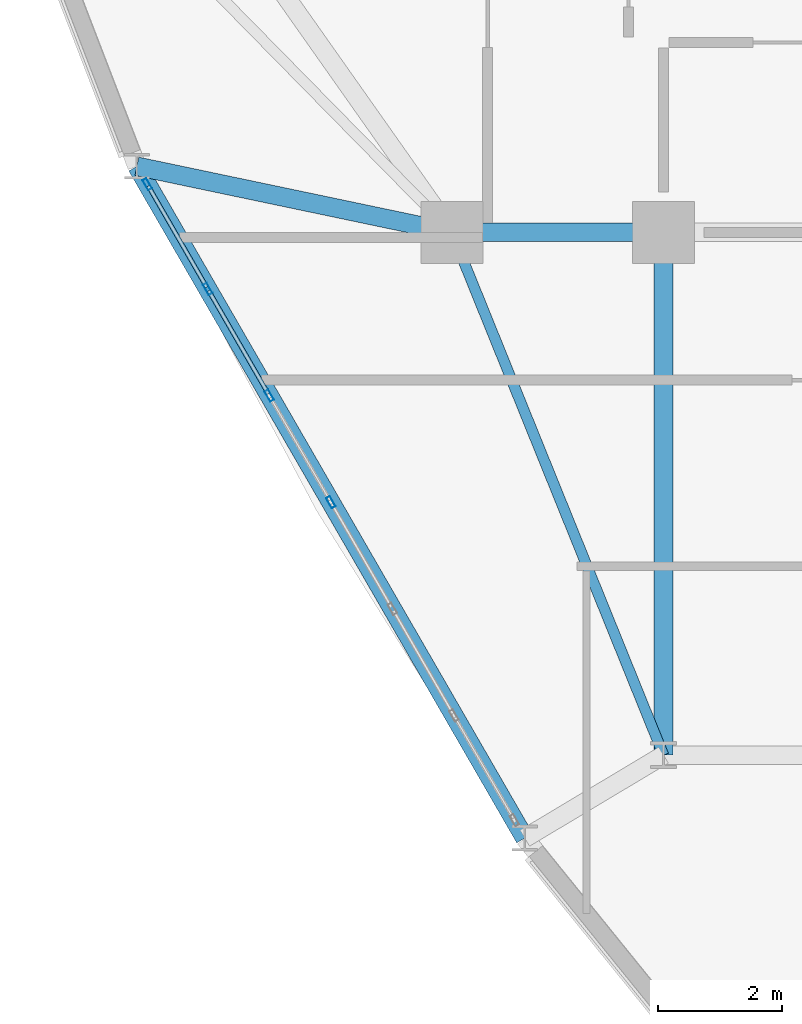
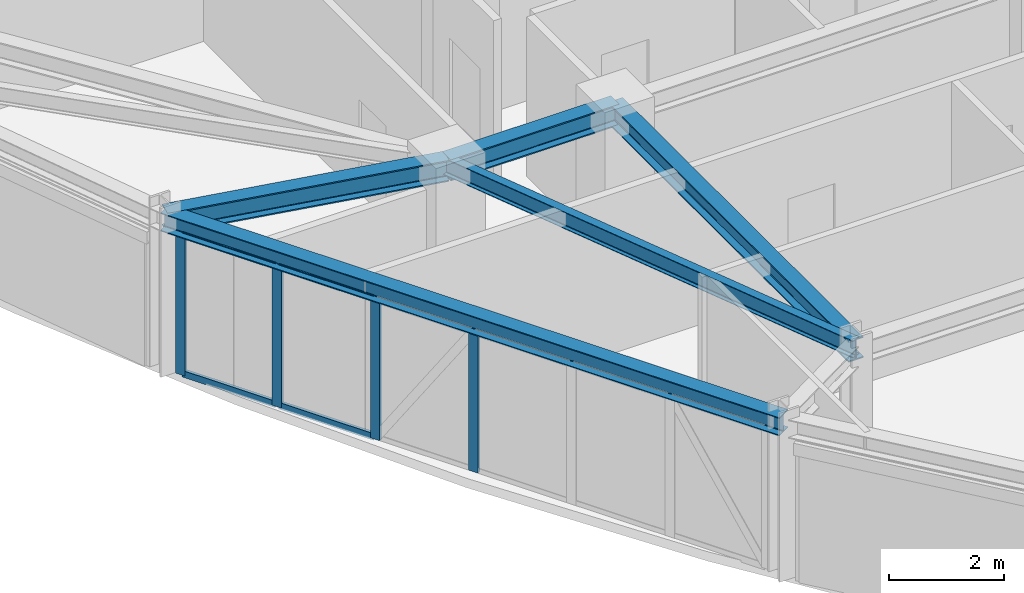
# One storey, part 4 of 14: 8 members, 5 beams, 1 element without a shape of its own.
"""IFC4 building model written with IfcOpenShell, lengths in metres."""

from ifc_helpers import new_model, si_unit, derived_unit, direction, frame, origin, origin_2d, place, context, subcontext, project, spatial, hollow_rectangle, i_section, extrude, source, transform, mapped, material, layer, layer_set, material_profile, profile_set, type_object, element, aggregate, save


model = new_model("IFC4")

# Units and contexts
model_context = context("Model", 3, precision=1e-05, world=origin(), true_north=direction((0.0, 1.0)))
body_context = subcontext(model_context, "Body", "Model", "MODEL_VIEW")
ifc_project = project(units=[si_unit("LENGTHUNIT", "METRE"), si_unit("AREAUNIT", "SQUARE_METRE"), si_unit("VOLUMEUNIT", "CUBIC_METRE"), si_unit("PLANEANGLEUNIT", "RADIAN"), si_unit("MASSUNIT", "GRAM", prefix="KILO"), derived_unit("THERMALTRANSMITTANCEUNIT", [(si_unit("POWERUNIT", "WATT"), 1), (si_unit("LENGTHUNIT", "METRE"), -2), (si_unit("THERMODYNAMICTEMPERATUREUNIT", "KELVIN"), -1)])], contexts=[model_context])

# Site, building, storey
site_placement = place(None, origin())
site = spatial("IfcSite", under=ifc_project, at=site_placement, CompositionType="ELEMENT")
building_placement = place(site_placement, origin())
building = spatial("IfcBuilding", under=site, at=building_placement, Name="Korsvarv Bourse and Concert Hall", CompositionType="ELEMENT")
storey_placement = place(building_placement, frame((0.0, 0.0, 190.199951171875)))
storey = spatial("IfcBuildingStorey", under=building, at=storey_placement, Name="L49", CompositionType="ELEMENT", Elevation=190.199951171875)

# Beams
ifc_material_1 = material(Name="Steel S355", Category="steel")
ifc_material_profile_1 = material_profile(ifc_material_1, i_section(OverallWidth=0.169921875, OverallDepth=0.360107421875, WebThickness=0.008056640625, FlangeThickness=0.0126953125, FilletRadius=0.01806640625, at=origin_2d()), Name="IPE 360")
ifc_profile_set_1 = profile_set([ifc_material_profile_1], Name="Steel S355")
beam_type_1 = type_object("IfcBeamType", Name="BM-IPE360", PredefinedType="JOIST", material=ifc_profile_set_1)
shared_shape_1 = source(origin(), body_context, "Body", "SweptSolid", [
    extrude(i_section(OverallWidth=0.169921875, OverallDepth=0.360107421875, WebThickness=0.008056640625, FlangeThickness=0.0126953125, FilletRadius=0.01806640625, at=origin_2d()), origin(), (0.0, 0.0, 1.0), 9.06201171875),
])
beam_1_placement = place(storey_placement, frame((24.199951171875, 32.39990234375, 3.219970703125), z_axis=(0.375210394783, -0.926939674222, 0.0), x_axis=(0.926939674222, 0.375210394783, 0.0)))
element("IfcBeam", 1, at=beam_1_placement, inside=storey, type_object=beam_type_1, Name="L49 beam J-06", PredefinedType="JOIST", context=body_context, shape_type="MappedRepresentation", body=[
    mapped(shared_shape_1, transform((0.0, 0.0, 0.0), scale=1.0)),
])
ifc_material_profile_2 = material_profile(ifc_material_1, i_section(OverallWidth=0.300048828125, OverallDepth=0.449951171875, WebThickness=0.013916015625, FlangeThickness=0.02587890625, FilletRadius=0.02099609375, at=origin_2d()), Name="HEB 450")
ifc_profile_set_2 = profile_set([ifc_material_profile_2], Name="Steel S355")
beam_type_2 = type_object("IfcBeamType", Name="BM-HEB450", PredefinedType="SPANDREL", material=ifc_profile_set_2)
shared_shape_2 = source(origin(), body_context, "Body", "SweptSolid", [
    extrude(i_section(OverallWidth=0.300048828125, OverallDepth=0.449951171875, WebThickness=0.013916015625, FlangeThickness=0.02587890625, FilletRadius=0.02099609375, at=origin_2d()), origin(), (0.0, 0.0, 1.0), 3.400146484375),
])
beam_2_placement = place(storey_placement, frame((24.199951171875, 32.39990234375, 3.175048828125), z_axis=(1.0, 0.0, 0.0), x_axis=(0.0, 1.0, 0.0)))
element("IfcBeam", 2, at=beam_2_placement, inside=storey, type_object=beam_type_2, Name="L49 beam B-08", PredefinedType="SPANDREL", context=body_context, shape_type="MappedRepresentation", body=[
    mapped(shared_shape_2, transform((0.0, 0.0, 0.0), scale=1.0)),
])
shared_shape_3 = source(origin(), body_context, "Body", "SweptSolid", [
    extrude(i_section(OverallWidth=0.300048828125, OverallDepth=0.449951171875, WebThickness=0.013916015625, FlangeThickness=0.02587890625, FilletRadius=0.02099609375, at=origin_2d()), origin(), (0.0, 0.0, 1.0), 8.39990234375),
])
beam_3_placement = place(storey_placement, frame((27.60009765625, 24.0, 3.175048828125), z_axis=(0.0, 1.0, 0.0), x_axis=(-1.0, 0.0, 0.0)))
element("IfcBeam", 3, at=beam_3_placement, inside=storey, type_object=beam_type_2, Name="L49 beam B-08", PredefinedType="SPANDREL", context=body_context, shape_type="MappedRepresentation", body=[
    mapped(shared_shape_3, transform((0.0, 0.0, 0.0), scale=1.0)),
])
ifc_material_profile_3 = material_profile(ifc_material_1, i_section(OverallWidth=0.300048828125, OverallDepth=0.389892578125, WebThickness=0.010986328125, FlangeThickness=0.01904296875, FilletRadius=0.02099609375, at=origin_2d()), Name="HEA 400")
ifc_profile_set_3 = profile_set([ifc_material_profile_3], Name="Steel S355")
beam_type_3 = type_object("IfcBeamType", Name="BM-HEA400", PredefinedType="BEAM", material=ifc_profile_set_3)
shared_shape_4 = source(origin(), body_context, "Body", "SweptSolid", [
    extrude(i_section(OverallWidth=0.300048828125, OverallDepth=0.389892578125, WebThickness=0.010986328125, FlangeThickness=0.01904296875, FilletRadius=0.02099609375, at=origin_2d()), origin(), (0.0, 0.0, 1.0), 12.46630859375),
])
beam_4_placement = place(storey_placement, frame((19.13818359375, 33.462158203125, 3.205078125), z_axis=(0.499985219902, -0.86603393691, 0.0), x_axis=(0.86603393691, 0.499985219902, 0.0)))
element("IfcBeam", 4, at=beam_4_placement, inside=storey, type_object=beam_type_3, Name="L49 beam B-11", PredefinedType="BEAM", context=body_context, shape_type="MappedRepresentation", body=[
    mapped(shared_shape_4, transform((0.0, 0.0, 0.0), scale=1.0)),
])
shared_shape_5 = source(origin(), body_context, "Body", "SweptSolid", [
    extrude(i_section(OverallWidth=0.300048828125, OverallDepth=0.449951171875, WebThickness=0.013916015625, FlangeThickness=0.02587890625, FilletRadius=0.02099609375, at=origin_2d()), origin(), (0.0, 0.0, 1.0), 5.172119140625),
])
beam_5_placement = place(storey_placement, frame((19.13818359375, 33.462158203125, 3.175048828125), z_axis=(0.978681305513, -0.205384766328, 0.0), x_axis=(0.205384766328, 0.978681305513, 0.0)))
element("IfcBeam", 5, at=beam_5_placement, inside=storey, type_object=beam_type_2, Name="L49 beam B-08", PredefinedType="SPANDREL", context=body_context, shape_type="MappedRepresentation", body=[
    mapped(shared_shape_5, transform((0.0, 0.0, 0.0), scale=1.0)),
])

# Curtain wall, members
ifc_material_2 = material(Name="Anodised aluminium and triple low-E glazing", Category="glass")
ifc_layer = layer(ifc_material_2, 0.199951171875)
ifc_layer_set = layer_set([ifc_layer], Name="Anodised aluminium and triple low-E glazing")
curtain_wall_type = type_object("IfcCurtainWallType", Name="CW-SYS-3", PredefinedType="NOTDEFINED", material=ifc_layer_set)
curtain_wall_placement = place(storey_placement, origin())
curtain_wall = element("IfcCurtainWall", 6, at=curtain_wall_placement, inside=storey, type_object=curtain_wall_type, Name="L49 CW3 curtain wall CW-L49-F07", PredefinedType="NOTDEFINED")
ifc_material_3 = material(Name="Extruded aluminium EN AW-6063 T66", Category="aluminium")
ifc_material_profile_4 = material_profile(ifc_material_3, hollow_rectangle(XDim=0.06494140625, YDim=0.139892578125, WallThickness=0.00390625, at=origin_2d()), Name="ALU-T 65x140")
ifc_profile_set_4 = profile_set([ifc_material_profile_4], Name="Extruded aluminium EN AW-6063 T66")
member_type_1 = type_object("IfcMemberType", Name="CWT-140", PredefinedType="USERDEFINED", material=ifc_profile_set_4)
shared_shape_6 = source(origin(), body_context, "Body", "SweptSolid", [
    extrude(hollow_rectangle(XDim=0.06494140625, YDim=0.139892578125, WallThickness=0.00390625, at=origin_2d()), origin(), (0.0, 0.0, 1.0), 1.908447265625),
])
member_1_placement = place(storey_placement, frame((20.293701171875, 31.46044921875, 0.032470703125), z_axis=(0.500087889681, -0.865974654707, 0.0), x_axis=(0.865974654707, 0.500087889681, 0.0)))
member_1 = element("IfcMember", 7, at=member_1_placement, type_object=member_type_1, Name="CW3 transom 2.1", ObjectType="TRANSOM", PredefinedType="USERDEFINED", context=body_context, shape_type="MappedRepresentation", body=[
    mapped(shared_shape_6, transform((0.0, 0.0, 0.0), scale=1.0)),
])
member_2_placement = place(storey_placement, frame((20.293701171875, 31.46044921875, 2.9775390625), z_axis=(0.500087889681, -0.865974654707, 0.0), x_axis=(0.865974654707, 0.500087889681, 0.0)))
member_2 = element("IfcMember", 8, at=member_2_placement, type_object=member_type_1, Name="CW3 transom 2.2", ObjectType="TRANSOM", PredefinedType="USERDEFINED", context=body_context, shape_type="MappedRepresentation", body=[
    mapped(shared_shape_6, transform((0.0, 0.0, 0.0), scale=1.0)),
])
ifc_material_profile_5 = material_profile(ifc_material_3, hollow_rectangle(XDim=0.070068359375, YDim=0.18994140625, WallThickness=0.0048828125, at=origin_2d()), Name="ALU-M 70x190")
ifc_profile_set_5 = profile_set([ifc_material_profile_5], Name="Extruded aluminium EN AW-6063 T66")
member_type_2 = type_object("IfcMemberType", Name="CWM-190", PredefinedType="MULLION", material=ifc_profile_set_5)
shared_shape_7 = source(origin(), body_context, "Body", "SweptSolid", [
    extrude(hollow_rectangle(XDim=0.070068359375, YDim=0.18994140625, WallThickness=0.0048828125, at=origin_2d()), origin(), (0.0, 0.0, 1.0), 3.010009765625),
])
member_3_placement = place(storey_placement, frame((19.3046875, 33.173828125, 0.0), z_axis=(0.0, 0.0, 1.0), x_axis=(0.866029726531, 0.499992512708, 0.0)))
member_3 = element("IfcMember", 9, at=member_3_placement, type_object=member_type_2, Name="CW3 mullion 1", PredefinedType="MULLION", context=body_context, shape_type="MappedRepresentation", body=[
    mapped(shared_shape_7, transform((0.0, 0.0, 0.0), scale=1.0)),
])
member_4_placement = place(storey_placement, frame((20.2763671875, 31.490966796875, 0.0), z_axis=(0.0, 0.0, 1.0), x_axis=(0.866029726531, 0.499992512708, 0.0)))
member_4 = element("IfcMember", 10, at=member_4_placement, type_object=member_type_2, Name="CW3 mullion 2", PredefinedType="MULLION", context=body_context, shape_type="MappedRepresentation", body=[
    mapped(shared_shape_7, transform((0.0, 0.0, 0.0), scale=1.0)),
])
member_5_placement = place(storey_placement, frame((21.265380859375, 29.777587890625, 0.0), z_axis=(0.0, 0.0, 1.0), x_axis=(0.866029726531, 0.499992512708, 0.0)))
member_5 = element("IfcMember", 11, at=member_5_placement, type_object=member_type_2, Name="CW3 mullion 3", PredefinedType="MULLION", context=body_context, shape_type="MappedRepresentation", body=[
    mapped(shared_shape_7, transform((0.0, 0.0, 0.0), scale=1.0)),
])
member_6_placement = place(storey_placement, frame((22.254638671875, 28.064208984375, 0.0), z_axis=(0.0, 0.0, 1.0), x_axis=(0.866029726531, 0.499992512708, 0.0)))
member_6 = element("IfcMember", 12, at=member_6_placement, type_object=member_type_2, Name="CW3 mullion 4", PredefinedType="MULLION", context=body_context, shape_type="MappedRepresentation", body=[
    mapped(shared_shape_7, transform((0.0, 0.0, 0.0), scale=1.0)),
])
shared_shape_8 = source(origin(), body_context, "Body", "SweptSolid", [
    extrude(hollow_rectangle(XDim=0.06494140625, YDim=0.139892578125, WallThickness=0.00390625, at=origin_2d()), origin(), (0.0, 0.0, 1.0), 1.873291015625),
])
member_7_placement = place(storey_placement, frame((19.322021484375, 33.1435546875, 0.032470703125), z_axis=(0.500049599607, -0.865996765544, 0.0), x_axis=(0.865996765544, 0.500049599607, 0.0)))
member_7 = element("IfcMember", 13, at=member_7_placement, type_object=member_type_1, Name="CW3 transom 1.1", ObjectType="TRANSOM", PredefinedType="USERDEFINED", context=body_context, shape_type="MappedRepresentation", body=[
    mapped(shared_shape_8, transform((0.0, 0.0, 0.0), scale=1.0)),
])
member_8_placement = place(storey_placement, frame((19.322021484375, 33.1435546875, 2.9775390625), z_axis=(0.500049599607, -0.865996765544, 0.0), x_axis=(0.865996765544, 0.500049599607, 0.0)))
member_8 = element("IfcMember", 14, at=member_8_placement, type_object=member_type_1, Name="CW3 transom 1.2", ObjectType="TRANSOM", PredefinedType="USERDEFINED", context=body_context, shape_type="MappedRepresentation", body=[
    mapped(shared_shape_8, transform((0.0, 0.0, 0.0), scale=1.0)),
])
aggregate(curtain_wall, [member_3, member_4, member_5, member_6, member_7, member_8, member_1, member_2])

save(model, "model.ifc")
